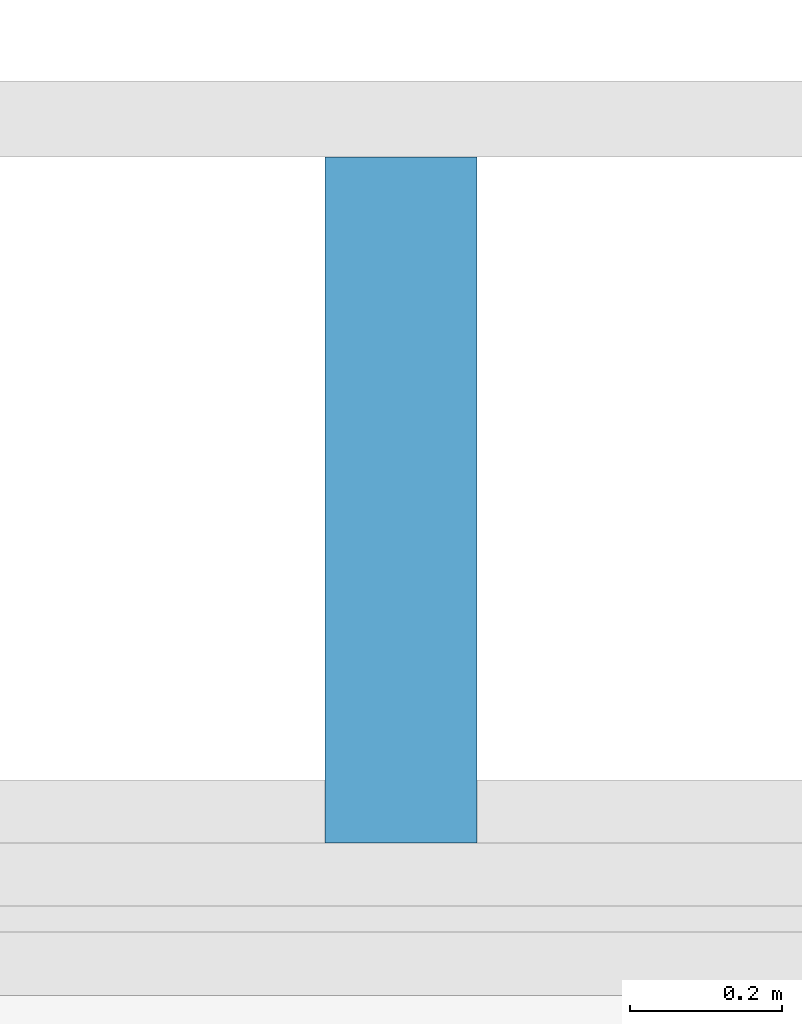
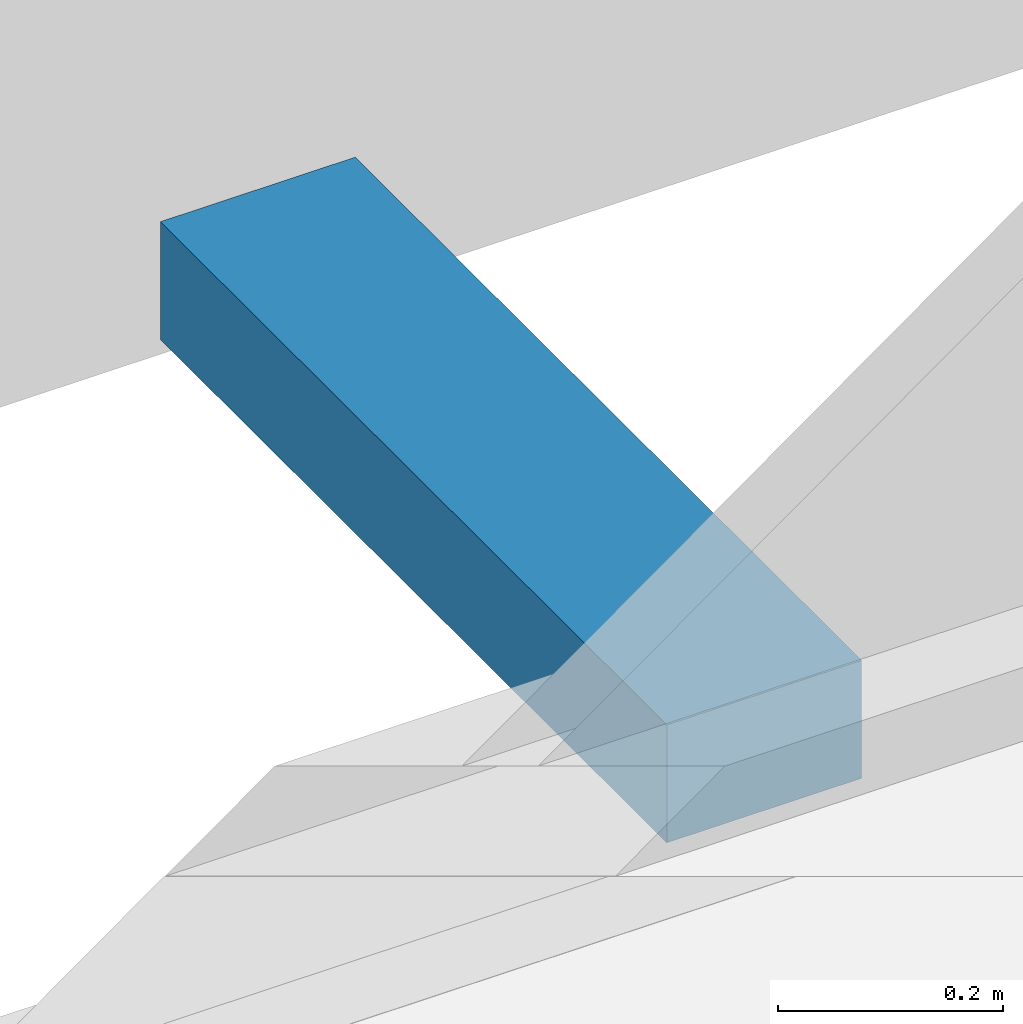
# One storey, part 13 of 14: 1 discrete accessory.
"""IFC4 building model written with IfcOpenShell, lengths in metres."""

from ifc_helpers import new_model, si_unit, direction, frame, origin, origin_2d, place, context, subcontext, project, spatial, rectangle, extrude, material, type_object, element, save


model = new_model("IFC4")

# Units and contexts
model_context = context("Model", 3, precision=1e-05, world=origin(), true_north=direction((0.0, 1.0)))
body_context = subcontext(model_context, "Body", "Model", "MODEL_VIEW")
ifc_project = project(units=[si_unit("LENGTHUNIT", "METRE"), si_unit("AREAUNIT", "SQUARE_METRE"), si_unit("VOLUMEUNIT", "CUBIC_METRE"), si_unit("PLANEANGLEUNIT", "RADIAN"), si_unit("MASSUNIT", "GRAM", prefix="KILO")], contexts=[model_context])

# Site, building, storey
site_placement = place(None, origin())
site = spatial("IfcSite", under=ifc_project, at=site_placement, CompositionType="ELEMENT")
building_placement = place(site_placement, origin())
building = spatial("IfcBuilding", under=site, at=building_placement, Name="Baori Bourse Tower", CompositionType="ELEMENT")
storey_placement = place(building_placement, frame((0.0, 0.0, 39.0)))
storey = spatial("IfcBuildingStorey", under=building, at=storey_placement, Name="L07", CompositionType="ELEMENT", Elevation=39.0)

# Discrete accessory
ifc_material = material(Name="Pale anodised aluminium", Category="aluminium")
discrete_accessory_type = type_object("IfcDiscreteAccessoryType", Name="OS2 Outer skin bracket", PredefinedType="BRACKET", material=ifc_material)
discrete_accessory_placement = place(storey_placement, frame((35.012451171875, 48.449951171875, -0.14404296875), z_axis=(0.0, 0.0, 1.0), x_axis=(-1.0, 0.0, 0.0)))
element("IfcDiscreteAccessory", 1, at=discrete_accessory_placement, inside=storey, type_object=discrete_accessory_type, Name="Outer skin bracket L07 4", PredefinedType="BRACKET", context=body_context, shape_type="SweptSolid", body=[
    extrude(rectangle(XDim=0.199951171875, YDim=0.89990234375, at=origin_2d()), origin(), (0.0, 0.0, 1.0), 0.1279296875),
])

save(model, "model.ifc")
